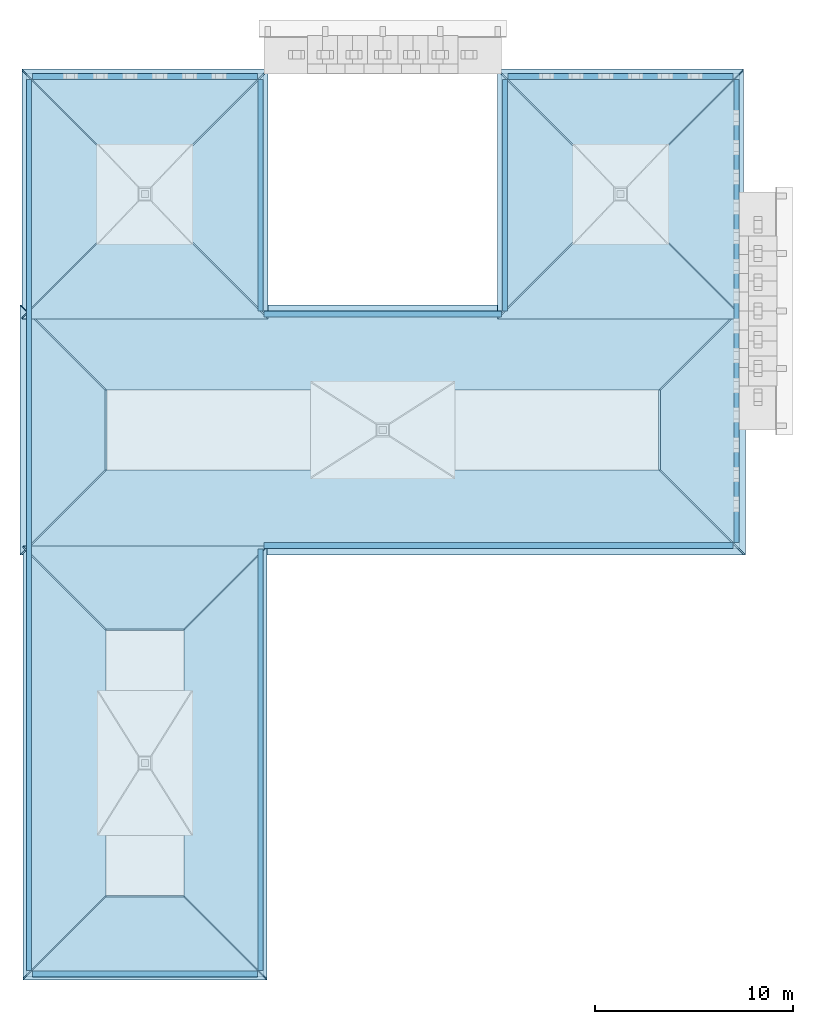
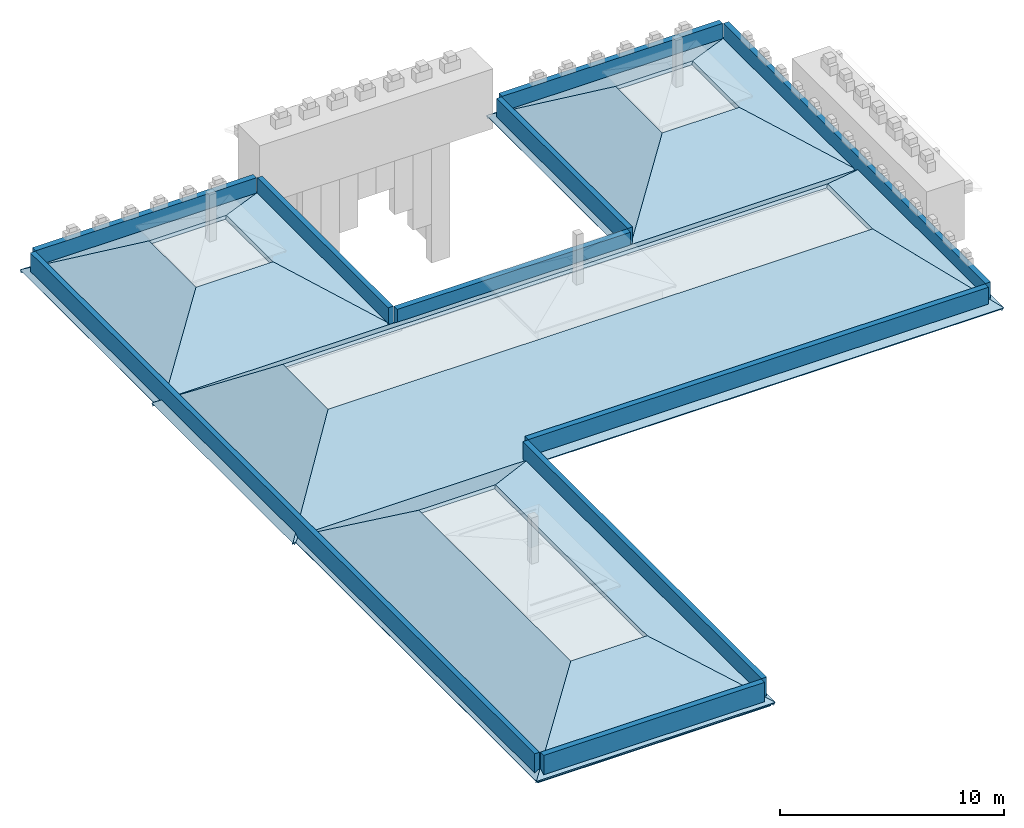
# One storey, part 1 of 4: 16 roofs, 10 walls, 1 slab.
"""IFC4 building model written with IfcOpenShell, lengths in metres."""

from ifc_helpers import new_model, si_unit, direction, frame, frame_2d, origin, place, context, subcontext, project, spatial, polyline, rectangle, outline, extrude, material, layer, layer_set, type_object, element, save


model = new_model("IFC4")

# Units and contexts
model_context = context("Model", 3, precision=1e-05, world=origin(), true_north=direction((0.0, 1.0)))
body_context = subcontext(model_context, "Body", "Model", "MODEL_VIEW")
ifc_project = project(units=[si_unit("LENGTHUNIT", "METRE"), si_unit("AREAUNIT", "SQUARE_METRE"), si_unit("VOLUMEUNIT", "CUBIC_METRE"), si_unit("PLANEANGLEUNIT", "RADIAN"), si_unit("MASSUNIT", "GRAM", prefix="KILO")], contexts=[model_context])

# Site, building, storey
site_placement = place(None, origin())
site = spatial("IfcSite", under=ifc_project, at=site_placement, CompositionType="ELEMENT")
building_placement = place(site_placement, origin())
building = spatial("IfcBuilding", under=site, at=building_placement, Name="Zlatogorsky Bluff Art Gallery", CompositionType="ELEMENT")
storey_placement = place(building_placement, frame((0.0, 0.0, 28.199951171875)))
storey = spatial("IfcBuildingStorey", under=building, at=storey_placement, Name="RF", CompositionType="ELEMENT", Elevation=28.199951171875)

# Slab
ifc_material_1 = material(Name="Concrete C30/37", Category="concrete")
ifc_layer_1 = layer(ifc_material_1, 0.239990234375)
ifc_layer_set_1 = layer_set([ifc_layer_1], Name="Slab RF-FL2 240mm")
slab_type = type_object("IfcSlabType", Name="Slab RF-FL2 240mm", PredefinedType="ROOF", material=ifc_layer_set_1)
slab_placement = place(storey_placement, frame((0.0, 0.0, -0.239990234375)))
element("IfcSlab", 1, at=slab_placement, inside=storey, type_object=slab_type, Name="RF flat insulated roof slab 1", PredefinedType="ROOF", context=body_context, shape_type="SweptSolid", body=[
    extrude(outline(polyline([(120.0, 62.39990234375), (120.0, 74.39990234375), (120.0, 84.0), (120.0, 96.0), (120.0, 108.0), (132.0, 108.0), (132.0, 96.0), (144.0, 96.0), (144.0, 108.0), (156.0, 108.0), (156.0, 96.0), (156.0, 84.0), (144.0, 84.0), (132.0, 84.0), (132.0, 74.39990234375), (132.0, 62.39990234375), (120.0, 62.39990234375)])), origin(), (0.0, 0.0, 1.0), 0.239990234375),
])

# Walls
ifc_material_2 = material(Name="Precast concrete C40/50", Category="concrete")
ifc_layer_2 = layer(ifc_material_2, 0.260009765625)
ifc_layer_set_2 = layer_set([ifc_layer_2], Name="Exterior Wall PR-W1 260mm")
wall_type_1 = type_object("IfcWallType", Name="Exterior Wall PR-W1 260mm", PredefinedType="PARAPET", material=ifc_layer_set_2)
wall_1_placement = place(storey_placement, frame((120.159912109375, 62.719970703125, 0.0), z_axis=(0.0, 0.0, 1.0), x_axis=(0.0, 1.0, 0.0)))
element("IfcWall", 2, at=wall_1_placement, inside=storey, type_object=wall_type_1, Name="Sandstone roof parapet ROOF-FLAT-RF-01.1", PredefinedType="PARAPET", context=body_context, shape_type="SweptSolid", body=[
    extrude(rectangle(XDim=44.9599609375, YDim=0.260009765625, at=frame_2d((22.47998046875, 0.0))), origin(), (0.0, 0.0, 1.0), 1.150146484375),
])
for number, where, z_axis, x_axis, name in (
    (3, (131.840087890625, 107.679931640625, 0.0), (0.0, 0.0, 1.0), (0.0, -1.0, 0.0), "Sandstone roof parapet ROOF-FLAT-RF-01.3"),
    (4, (144.159912109375, 96.0, 0.0), (0.0, 0.0, 1.0), (0.0, 1.0, 0.0), "Sandstone roof parapet ROOF-FLAT-RF-01.5"),
):
    element("IfcWall", number, at=place(storey_placement, frame(where, z_axis=z_axis, x_axis=x_axis)), inside=storey, type_object=wall_type_1, Name=name, PredefinedType="PARAPET", context=body_context, shape_type="SweptSolid", body=[
        extrude(rectangle(XDim=11.679931640625, YDim=0.260009765625, at=frame_2d((5.83984375, 0.0))), origin(), (0.0, 0.0, 1.0), 1.150146484375),
    ])
wall_2_placement = place(storey_placement, frame((155.840087890625, 107.679931640625, 0.0), z_axis=(0.0, 0.0, 1.0), x_axis=(0.0, -1.0, 0.0)))
element("IfcWall", 5, at=wall_2_placement, inside=storey, type_object=wall_type_1, Name="Sandstone roof parapet ROOF-FLAT-RF-01.7", PredefinedType="PARAPET", context=body_context, shape_type="SweptSolid", body=[
    extrude(rectangle(XDim=23.35986328125, YDim=0.260009765625, at=frame_2d((11.679931640625, 0.0))), origin(), (0.0, 0.0, 1.0), 1.150146484375),
])
wall_3_placement = place(storey_placement, frame((131.840087890625, 84.0, 0.0), z_axis=(0.0, 0.0, 1.0), x_axis=(0.0, -1.0, 0.0)))
element("IfcWall", 6, at=wall_3_placement, inside=storey, type_object=wall_type_1, Name="Sandstone roof parapet ROOF-FLAT-RF-01.9", PredefinedType="PARAPET", context=body_context, shape_type="SweptSolid", body=[
    extrude(rectangle(XDim=21.280029296875, YDim=0.260009765625, at=frame_2d((10.64013671875, 0.0))), origin(), (0.0, 0.0, 1.0), 1.150146484375),
])
ifc_layer_3 = layer(ifc_material_2, 0.300048828125)
ifc_layer_set_3 = layer_set([ifc_layer_3], Name="Exterior Wall PR-W2 300mm")
wall_type_2 = type_object("IfcWallType", Name="Exterior Wall PR-W2 300mm", PredefinedType="PARAPET", material=ifc_layer_set_3)
wall_4_placement = place(storey_placement, frame((120.320068359375, 107.840087890625, 0.0), z_axis=(0.0, 0.0, 1.0), x_axis=(1.0, 0.0, 0.0)))
element("IfcWall", 7, at=wall_4_placement, inside=storey, type_object=wall_type_2, Name="Sandstone roof parapet ROOF-FLAT-RF-01.2", PredefinedType="PARAPET", context=body_context, shape_type="SweptSolid", body=[
    extrude(rectangle(XDim=11.35986328125, YDim=0.300048828125, at=frame_2d((5.679931640625, 0.0))), origin(), (0.0, 0.0, 1.0), 1.150146484375),
])
wall_5_placement = place(storey_placement, frame((132.0, 95.840087890625, 0.0), z_axis=(0.0, 0.0, 1.0), x_axis=(1.0, 0.0, 0.0)))
element("IfcWall", 8, at=wall_5_placement, inside=storey, type_object=wall_type_2, Name="Sandstone roof parapet ROOF-FLAT-RF-01.4", PredefinedType="PARAPET", context=body_context, shape_type="SweptSolid", body=[
    extrude(rectangle(XDim=12.0, YDim=0.300048828125, at=frame_2d((6.0, 0.0))), origin(), (0.0, 0.0, 1.0), 1.150146484375),
])
wall_6_placement = place(storey_placement, frame((144.320068359375, 107.840087890625, 0.0), z_axis=(0.0, 0.0, 1.0), x_axis=(1.0, 0.0, 0.0)))
element("IfcWall", 9, at=wall_6_placement, inside=storey, type_object=wall_type_2, Name="Sandstone roof parapet ROOF-FLAT-RF-01.6", PredefinedType="PARAPET", context=body_context, shape_type="SweptSolid", body=[
    extrude(rectangle(XDim=11.35986328125, YDim=0.300048828125, at=frame_2d((5.679931640625, 0.0))), origin(), (0.0, 0.0, 1.0), 1.150146484375),
])
wall_7_placement = place(storey_placement, frame((155.679931640625, 84.159912109375, 0.0), z_axis=(0.0, 0.0, 1.0), x_axis=(-1.0, 0.0, 0.0)))
element("IfcWall", 10, at=wall_7_placement, inside=storey, type_object=wall_type_2, Name="Sandstone roof parapet ROOF-FLAT-RF-01.8", PredefinedType="PARAPET", context=body_context, shape_type="SweptSolid", body=[
    extrude(rectangle(XDim=23.679931640625, YDim=0.300048828125, at=frame_2d((11.83984375, 0.0))), origin(), (0.0, 0.0, 1.0), 1.150146484375),
])
wall_8_placement = place(storey_placement, frame((131.679931640625, 62.56005859375, 0.0), z_axis=(0.0, 0.0, 1.0), x_axis=(-1.0, 0.0, 0.0)))
element("IfcWall", 11, at=wall_8_placement, inside=storey, type_object=wall_type_2, Name="Sandstone roof parapet ROOF-FLAT-RF-01.10", PredefinedType="PARAPET", context=body_context, shape_type="SweptSolid", body=[
    extrude(rectangle(XDim=11.35986328125, YDim=0.300048828125, at=frame_2d((5.679931640625, 0.0))), origin(), (0.0, 0.0, 1.0), 1.150146484375),
])

# Roofs
ifc_material_3 = material(Name="Patinated Red-Bronze Standing-Seam Insulated Roof", Category="metal")
ifc_layer_4 = layer(ifc_material_3, 0.159912109375)
ifc_layer_set_4 = layer_set([ifc_layer_4], Name="Standing-Seam Pavilion Roof RF-02")
roof_type = type_object("IfcRoofType", Name="Standing-Seam Pavilion Roof RF-02", PredefinedType="HIP_ROOF", material=ifc_layer_set_4)
for number, where, z_axis, x_axis, name in (
    (12, (119.699951171875, 83.699951171875, 0.0), (0.0, -0.598442831496, 0.801165511883), (1.0, 0.0, 0.0), "Mughal pavilion faceted roof slope RF-NE-PAV-MAIN.S"),
    (13, (156.300048828125, 96.300048828125, 0.0), (0.0, 0.598442831496, 0.801165511883), (-1.0, 0.0, 0.0), "Mughal pavilion faceted roof slope RF-NE-PAV-MAIN.N"),
):
    element("IfcRoof", number, at=place(storey_placement, frame(where, z_axis=z_axis, x_axis=x_axis)), inside=storey, type_object=roof_type, Name=name, PredefinedType="HIP_ROOF", context=body_context, shape_type="SweptSolid", body=[
        extrude(outline(polyline([(0.0, 0.0), (36.60009765625, 0.0), (32.316162109375, 5.347129255232511), (4.283935546875, 5.347129255232511), (0.0, 0.0)])), origin(), (0.0, 0.0, -1.0), 0.159912109375),
    ])
for number, where, z_axis, x_axis, name in (
    (14, (119.699951171875, 96.300048828125, 0.0), (-0.598442831496, 0.0, 0.801165511883), (0.0, -1.0, 0.0), "Mughal pavilion faceted roof slope RF-NE-PAV-MAIN.W"),
    (15, (156.300048828125, 83.699951171875, 0.0), (0.598442831496, 0.0, 0.801165511883), (0.0, 1.0, 0.0), "Mughal pavilion faceted roof slope RF-NE-PAV-MAIN.E"),
):
    element("IfcRoof", number, at=place(storey_placement, frame(where, z_axis=z_axis, x_axis=x_axis)), inside=storey, type_object=roof_type, Name=name, PredefinedType="HIP_ROOF", context=body_context, shape_type="SweptSolid", body=[
        extrude(outline(polyline([(0.0, 0.0), (12.60009765625, 0.0), (8.316162109375, 5.347129255232511), (4.283935546875, 5.347129255232511), (0.0, 0.0)])), origin(), (0.0, 0.0, -1.0), 0.159912109375),
    ])
roof_1_placement = place(storey_placement, frame((119.800048828125, 95.60009765625, 0.0), z_axis=(0.0, -0.532200663441, 0.846618245629), x_axis=(1.0, 0.0, 0.0)))
element("IfcRoof", 16, at=roof_1_placement, inside=storey, type_object=roof_type, Name="Mughal pavilion faceted roof slope RF-NE-CHHATRI-W.S", PredefinedType="HIP_ROOF", context=body_context, shape_type="SweptSolid", body=[
    extrude(outline(polyline([(0.0, 0.0), (12.39990234375, 0.0), (8.183837890625, 4.979600114058635), (4.216064453125, 4.979600114058635), (0.0, 0.0)])), origin(), (0.0, 0.0, -1.0), 0.159912109375),
])
roof_2_placement = place(storey_placement, frame((132.199951171875, 108.199951171875, 0.0), z_axis=(0.0, 0.532178573521, 0.84663213138), x_axis=(-1.0, 0.0, 0.0)))
element("IfcRoof", 17, at=roof_2_placement, inside=storey, type_object=roof_type, Name="Mughal pavilion faceted roof slope RF-NE-CHHATRI-W.N", PredefinedType="HIP_ROOF", context=body_context, shape_type="SweptSolid", body=[
    extrude(outline(polyline([(0.0, 0.0), (12.39990234375, 0.0), (8.183837890625, 4.9798068096613335), (4.216064453125, 4.9798068096613335), (0.0, 0.0)])), origin(), (0.0, 0.0, -1.0), 0.159912109375),
])
roof_3_placement = place(storey_placement, frame((119.800048828125, 108.199951171875, 0.0), z_axis=(-0.532178573521, 0.0, 0.84663213138), x_axis=(0.0, -1.0, 0.0)))
element("IfcRoof", 18, at=roof_3_placement, inside=storey, type_object=roof_type, Name="Mughal pavilion faceted roof slope RF-NE-CHHATRI-W.W", PredefinedType="HIP_ROOF", context=body_context, shape_type="SweptSolid", body=[
    extrude(outline(polyline([(0.0, 0.0), (12.599853515625, 0.0), (8.384033203125, 4.9798068096613335), (4.216064453125, 4.9798068096613335), (0.0, 0.0)])), origin(), (0.0, 0.0, -1.0), 0.159912109375),
])
roof_4_placement = place(storey_placement, frame((132.199951171875, 95.60009765625, 0.0), z_axis=(0.532178573521, 0.0, 0.84663213138), x_axis=(0.0, 1.0, 0.0)))
element("IfcRoof", 19, at=roof_4_placement, inside=storey, type_object=roof_type, Name="Mughal pavilion faceted roof slope RF-NE-CHHATRI-W.E", PredefinedType="HIP_ROOF", context=body_context, shape_type="SweptSolid", body=[
    extrude(outline(polyline([(0.0, 0.0), (12.599853515625, 0.0), (8.3837890625, 4.9798068096613335), (4.2158203125, 4.9798068096613335), (0.0, 0.0)])), origin(), (0.0, 0.0, -1.0), 0.159912109375),
])
roof_5_placement = place(storey_placement, frame((143.800048828125, 95.60009765625, 0.0), z_axis=(0.0, -0.532200663441, 0.846618245629), x_axis=(1.0, 0.0, 0.0)))
element("IfcRoof", 20, at=roof_5_placement, inside=storey, type_object=roof_type, Name="Mughal pavilion faceted roof slope RF-NE-CHHATRI-E.S", PredefinedType="HIP_ROOF", context=body_context, shape_type="SweptSolid", body=[
    extrude(outline(polyline([(0.0, 0.0), (12.39990234375, 0.0), (8.183837890625, 4.979600114058635), (4.216064453125, 4.979600114058635), (0.0, 0.0)])), origin(), (0.0, 0.0, -1.0), 0.159912109375),
])
roof_6_placement = place(storey_placement, frame((156.199951171875, 108.199951171875, 0.0), z_axis=(0.0, 0.532178573521, 0.84663213138), x_axis=(-1.0, 0.0, 0.0)))
element("IfcRoof", 21, at=roof_6_placement, inside=storey, type_object=roof_type, Name="Mughal pavilion faceted roof slope RF-NE-CHHATRI-E.N", PredefinedType="HIP_ROOF", context=body_context, shape_type="SweptSolid", body=[
    extrude(outline(polyline([(0.0, 0.0), (12.39990234375, 0.0), (8.183837890625, 4.9798068096613335), (4.216064453125, 4.9798068096613335), (0.0, 0.0)])), origin(), (0.0, 0.0, -1.0), 0.159912109375),
])
roof_7_placement = place(storey_placement, frame((143.800048828125, 108.199951171875, 0.0), z_axis=(-0.532178573521, 0.0, 0.84663213138), x_axis=(0.0, -1.0, 0.0)))
element("IfcRoof", 22, at=roof_7_placement, inside=storey, type_object=roof_type, Name="Mughal pavilion faceted roof slope RF-NE-CHHATRI-E.W", PredefinedType="HIP_ROOF", context=body_context, shape_type="SweptSolid", body=[
    extrude(outline(polyline([(0.0, 0.0), (12.599853515625, 0.0), (8.384033203125, 4.9798068096613335), (4.216064453125, 4.9798068096613335), (0.0, 0.0)])), origin(), (0.0, 0.0, -1.0), 0.159912109375),
])
roof_8_placement = place(storey_placement, frame((156.199951171875, 95.60009765625, 0.0), z_axis=(0.532178573521, 0.0, 0.84663213138), x_axis=(0.0, 1.0, 0.0)))
element("IfcRoof", 23, at=roof_8_placement, inside=storey, type_object=roof_type, Name="Mughal pavilion faceted roof slope RF-NE-CHHATRI-E.E", PredefinedType="HIP_ROOF", context=body_context, shape_type="SweptSolid", body=[
    extrude(outline(polyline([(0.0, 0.0), (12.599853515625, 0.0), (8.3837890625, 4.9798068096613335), (4.2158203125, 4.9798068096613335), (0.0, 0.0)])), origin(), (0.0, 0.0, -1.0), 0.159912109375),
])
for number, where, z_axis, x_axis, name in (
    (24, (119.85009765625, 62.25, 0.0), (0.0, -0.52062514854, 0.853785368056), (1.0, 0.0, 0.0), "Mughal pavilion faceted roof slope RF-ELINK-PAV.S"),
    (25, (132.14990234375, 84.14990234375, 0.0), (0.0, 0.52062514854, 0.853785368056), (-1.0, 0.0, 0.0), "Mughal pavilion faceted roof slope RF-ELINK-PAV.N"),
):
    element("IfcRoof", number, at=place(storey_placement, frame(where, z_axis=z_axis, x_axis=x_axis)), inside=storey, type_object=roof_type, Name=name, PredefinedType="HIP_ROOF", context=body_context, shape_type="SweptSolid", body=[
        extrude(outline(polyline([(0.0, 0.0), (12.2998046875, 0.0), (8.117919921875, 4.89805157371665), (4.181884765625, 4.89805157371665), (0.0, 0.0)])), origin(), (0.0, 0.0, -1.0), 0.159912109375),
    ])
for number, where, z_axis, x_axis, name in (
    (26, (119.85009765625, 84.14990234375, 0.0), (-0.52062514854, 0.0, 0.853785368056), (0.0, -1.0, 0.0), "Mughal pavilion faceted roof slope RF-ELINK-PAV.W"),
    (27, (132.14990234375, 62.25, 0.0), (0.52062514854, 0.0, 0.853785368056), (0.0, 1.0, 0.0), "Mughal pavilion faceted roof slope RF-ELINK-PAV.E"),
):
    element("IfcRoof", number, at=place(storey_placement, frame(where, z_axis=z_axis, x_axis=x_axis)), inside=storey, type_object=roof_type, Name=name, PredefinedType="HIP_ROOF", context=body_context, shape_type="SweptSolid", body=[
        extrude(outline(polyline([(0.0, 0.0), (21.89990234375, 0.0), (17.718017578125, 4.89805157371665), (4.181884765625, 4.89805157371665), (0.0, 0.0)])), origin(), (0.0, 0.0, -1.0), 0.159912109375),
    ])

save(model, "model.ifc")
